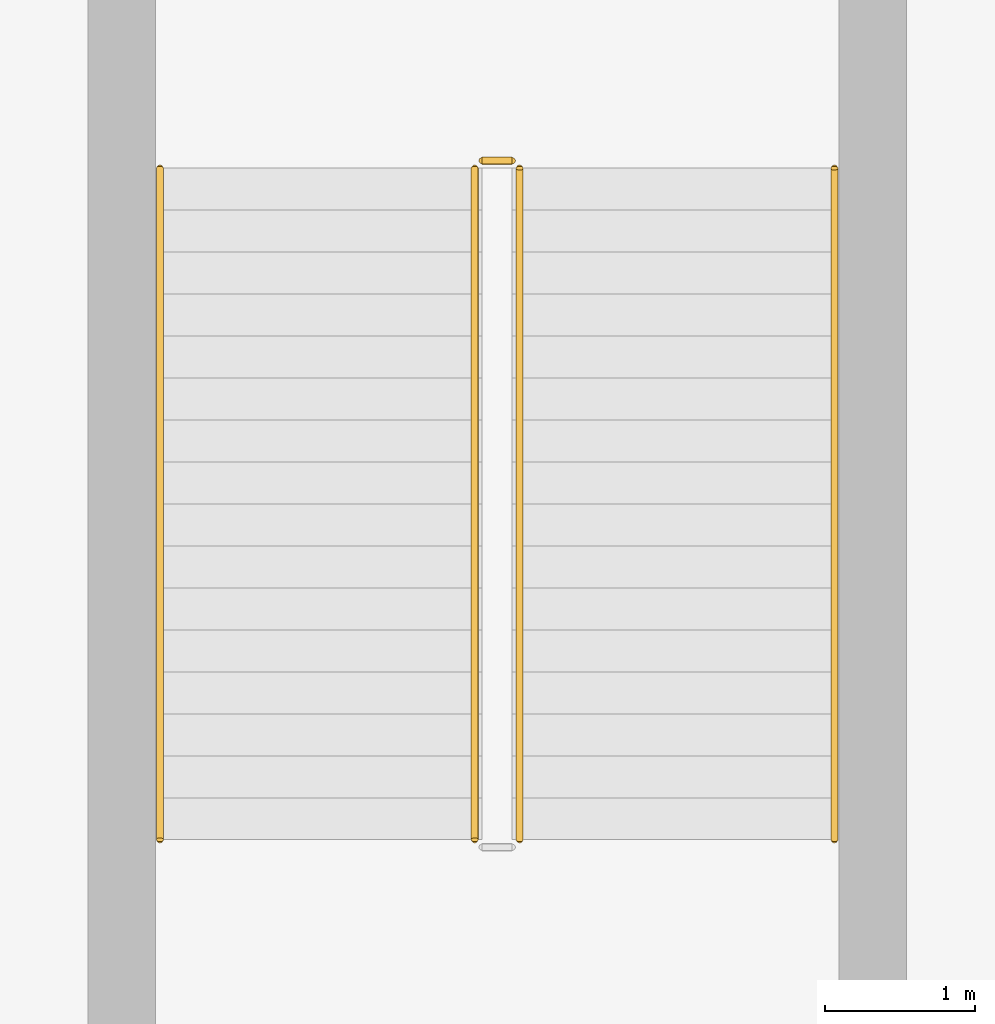
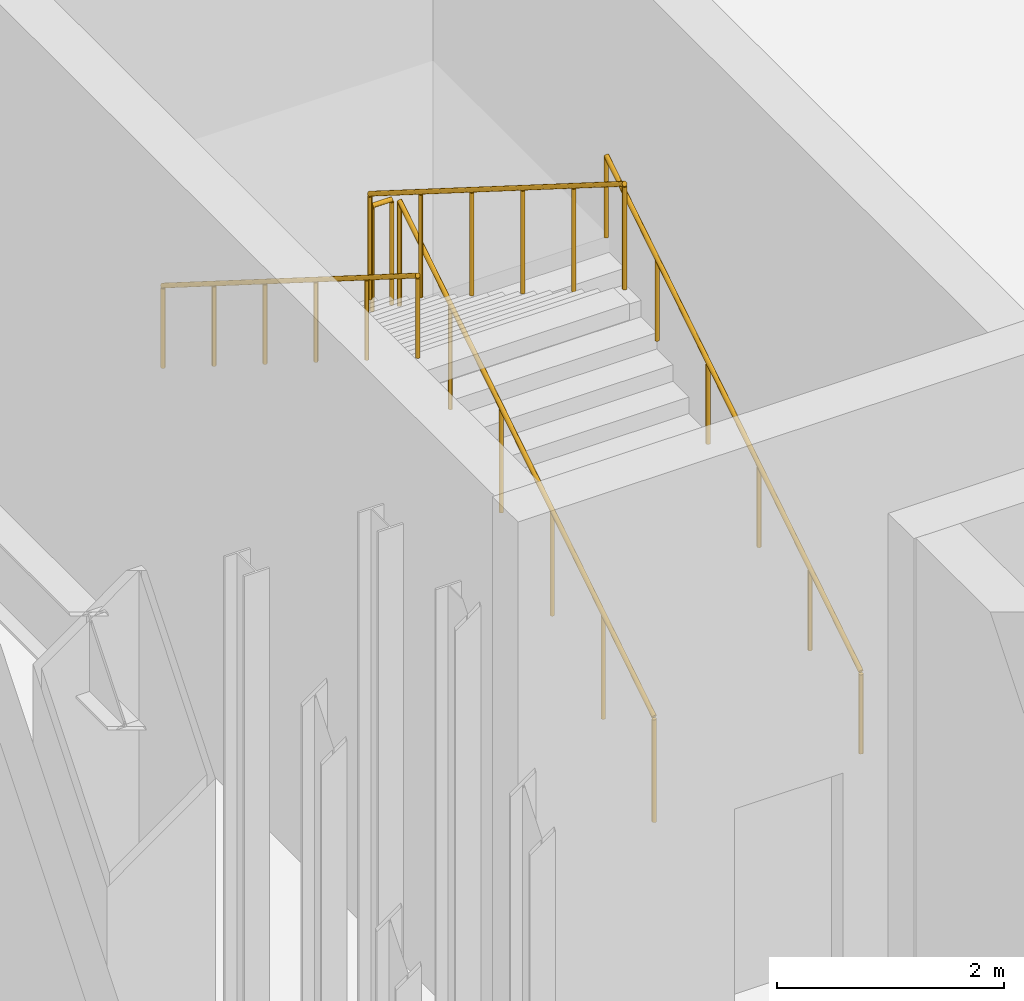
# One storey, part 19 of 25: 5 railings.
"""IFC4 building model written with IfcOpenShell, lengths in metres."""

from ifc_helpers import new_model, si_unit, derived_unit, direction, frame, origin, origin_2d, place, context, subcontext, project, spatial, circle, extrude, material, type_object, element, save


model = new_model("IFC4")

# Units and contexts
model_context = context("Model", 3, precision=1e-05, world=origin(), true_north=direction((0.0, 1.0)))
body_context = subcontext(model_context, "Body", "Model", "MODEL_VIEW")
ifc_project = project(units=[si_unit("LENGTHUNIT", "METRE"), si_unit("AREAUNIT", "SQUARE_METRE"), si_unit("VOLUMEUNIT", "CUBIC_METRE"), si_unit("PLANEANGLEUNIT", "RADIAN"), si_unit("MASSUNIT", "GRAM", prefix="KILO"), derived_unit("THERMALTRANSMITTANCEUNIT", [(si_unit("POWERUNIT", "WATT"), 1), (si_unit("LENGTHUNIT", "METRE"), -2), (si_unit("THERMODYNAMICTEMPERATUREUNIT", "KELVIN"), -1)])], contexts=[model_context])

# Site, building, storey
site_placement = place(None, origin())
site = spatial("IfcSite", under=ifc_project, at=site_placement, CompositionType="ELEMENT")
building_placement = place(site_placement, origin())
building = spatial("IfcBuilding", under=site, at=building_placement, Name="Skarnbrae Concourse Arena and Tower", CompositionType="ELEMENT")
storey_placement = place(building_placement, origin())
storey = spatial("IfcBuildingStorey", under=building, at=storey_placement, Name="L00", CompositionType="ELEMENT", Elevation=0.0)

# Railings
ifc_material = material(Name="Steel CSA G40.21 350W", Category="steel")
railing_type_1 = type_object("IfcRailingType", Name="RAIL-HANDRAIL-900", PredefinedType="HANDRAIL", material=ifc_material)
railing_1_placement = place(storey_placement, frame((9.75, 30.0, 0.176513671875)))
element("IfcRailing", 1, at=railing_1_placement, inside=storey, type_object=railing_type_1, Name="L00 ST-A3 stair handrail 1", PredefinedType="HANDRAIL", context=body_context, shape_type="SweptSolid", body=[
    extrude(circle(Radius=0.02392578125, at=origin_2d()), frame((0.0, 0.0, 0.8759765625), z_axis=(0.0, 0.845997938375, 0.533186166611), x_axis=(-1.0, 0.0, 0.0)), (0.0, 0.0, 1.0), 5.29541015625),
    extrude(circle(Radius=0.02099609375, at=origin_2d()), origin(), (0.0, 0.0, 1.0), 0.851806640625),
    extrude(circle(Radius=0.02099609375, at=origin_2d()), frame((0.0, 0.89599609375, 0.564697265625)), (0.0, 0.0, 1.0), 0.851806640625),
    extrude(circle(Radius=0.02099609375, at=origin_2d()), frame((0.0, 1.7919921875, 1.12939453125)), (0.0, 0.0, 1.0), 0.851806640625),
    extrude(circle(Radius=0.02099609375, at=origin_2d()), frame((0.0, 2.68798828125, 1.694091796875)), (0.0, 0.0, 1.0), 0.851806640625),
    extrude(circle(Radius=0.02099609375, at=origin_2d()), frame((0.0, 3.583984375, 2.2587890625)), (0.0, 0.0, 1.0), 0.851806640625),
    extrude(circle(Radius=0.02099609375, at=origin_2d()), frame((0.0, 4.47998046875, 2.823486328125)), (0.0, 0.0, 1.0), 0.851806640625),
])
railing_2_placement = place(storey_placement, frame((5.25, 34.47998046875, 3.176513671875)))
element("IfcRailing", 2, at=railing_2_placement, inside=storey, type_object=railing_type_1, Name="L00 ST-A3 stair handrail 2", PredefinedType="HANDRAIL", context=body_context, shape_type="SweptSolid", body=[
    extrude(circle(Radius=0.02392578125, at=origin_2d()), frame((0.0, 0.0, 0.8759765625), z_axis=(0.0, -0.845997938375, 0.533186166611), x_axis=(1.0, 0.0, 0.0)), (0.0, 0.0, 1.0), 5.29541015625),
    extrude(circle(Radius=0.02099609375, at=origin_2d()), origin(), (0.0, 0.0, 1.0), 0.851806640625),
    extrude(circle(Radius=0.02099609375, at=origin_2d()), frame((0.0, -0.89599609375, 0.564697265625)), (0.0, 0.0, 1.0), 0.851806640625),
    extrude(circle(Radius=0.02099609375, at=origin_2d()), frame((0.0, -1.7919921875, 1.12939453125)), (0.0, 0.0, 1.0), 0.851806640625),
    extrude(circle(Radius=0.02099609375, at=origin_2d()), frame((0.0, -2.68798828125, 1.694091796875)), (0.0, 0.0, 1.0), 0.851806640625),
    extrude(circle(Radius=0.02099609375, at=origin_2d()), frame((0.0, -3.583984375, 2.2587890625)), (0.0, 0.0, 1.0), 0.851806640625),
    extrude(circle(Radius=0.02099609375, at=origin_2d()), frame((0.0, -4.47998046875, 2.823486328125)), (0.0, 0.0, 1.0), 0.851806640625),
])
railing_type_2 = type_object("IfcRailingType", Name="RAIL-STAIR-GUARD-1150", PredefinedType="GUARDRAIL", material=ifc_material)
railing_3_placement = place(storey_placement, frame((7.64990234375, 30.0, 0.176513671875)))
element("IfcRailing", 3, at=railing_3_placement, inside=storey, type_object=railing_type_2, Name="L00 ST-A3 stair guard 1", PredefinedType="GUARDRAIL", context=body_context, shape_type="SweptSolid", body=[
    extrude(circle(Radius=0.02392578125, at=origin_2d()), frame((0.0, 0.0, 1.1259765625), z_axis=(0.0, 0.845997938375, 0.533186166611), x_axis=(-1.0, 0.0, 0.0)), (0.0, 0.0, 1.0), 5.29541015625),
    extrude(circle(Radius=0.02099609375, at=origin_2d()), origin(), (0.0, 0.0, 1.0), 1.101806640625),
    extrude(circle(Radius=0.02099609375, at=origin_2d()), frame((0.0, 0.89599609375, 0.564697265625)), (0.0, 0.0, 1.0), 1.101806640625),
    extrude(circle(Radius=0.02099609375, at=origin_2d()), frame((0.0, 1.7919921875, 1.12939453125)), (0.0, 0.0, 1.0), 1.101806640625),
    extrude(circle(Radius=0.02099609375, at=origin_2d()), frame((0.0, 2.68798828125, 1.694091796875)), (0.0, 0.0, 1.0), 1.101806640625),
    extrude(circle(Radius=0.02099609375, at=origin_2d()), frame((0.0, 3.583984375, 2.2587890625)), (0.0, 0.0, 1.0), 1.101806640625),
    extrude(circle(Radius=0.02099609375, at=origin_2d()), frame((0.0, 4.47998046875, 2.823486328125)), (0.0, 0.0, 1.0), 1.101806640625),
])
railing_4_placement = place(storey_placement, frame((7.60009765625, 34.530029296875, 3.0)))
element("IfcRailing", 4, at=railing_4_placement, inside=storey, type_object=railing_type_2, Name="L00 ST-A3 stair guard 2", PredefinedType="GUARDRAIL", context=body_context, shape_type="SweptSolid", body=[
    extrude(circle(Radius=0.02392578125, at=origin_2d()), frame((0.0, 0.0, 1.1259765625), z_axis=(-1.0, 0.0, 0.0), x_axis=(0.0, -1.0, 0.0)), (0.0, 0.0, 1.0), 0.2001953125),
    extrude(circle(Radius=0.02099609375, at=origin_2d()), origin(), (0.0, 0.0, 1.0), 1.101806640625),
    extrude(circle(Radius=0.02099609375, at=origin_2d()), frame((-0.2001953125, 0.0, 0.0)), (0.0, 0.0, 1.0), 1.101806640625),
])
railing_5_placement = place(storey_placement, frame((7.35009765625, 34.47998046875, 3.176513671875)))
element("IfcRailing", 5, at=railing_5_placement, inside=storey, type_object=railing_type_2, Name="L00 ST-A3 stair guard 3", PredefinedType="GUARDRAIL", context=body_context, shape_type="SweptSolid", body=[
    extrude(circle(Radius=0.02392578125, at=origin_2d()), frame((0.0, 0.0, 1.1259765625), z_axis=(0.0, -0.845997938375, 0.533186166611), x_axis=(1.0, 0.0, 0.0)), (0.0, 0.0, 1.0), 5.29541015625),
    extrude(circle(Radius=0.02099609375, at=origin_2d()), origin(), (0.0, 0.0, 1.0), 1.101806640625),
    extrude(circle(Radius=0.02099609375, at=origin_2d()), frame((0.0, -0.89599609375, 0.564697265625)), (0.0, 0.0, 1.0), 1.101806640625),
    extrude(circle(Radius=0.02099609375, at=origin_2d()), frame((0.0, -1.7919921875, 1.12939453125)), (0.0, 0.0, 1.0), 1.101806640625),
    extrude(circle(Radius=0.02099609375, at=origin_2d()), frame((0.0, -2.68798828125, 1.694091796875)), (0.0, 0.0, 1.0), 1.101806640625),
    extrude(circle(Radius=0.02099609375, at=origin_2d()), frame((0.0, -3.583984375, 2.2587890625)), (0.0, 0.0, 1.0), 1.101806640625),
    extrude(circle(Radius=0.02099609375, at=origin_2d()), frame((0.0, -4.47998046875, 2.823486328125)), (0.0, 0.0, 1.0), 1.101806640625),
])

save(model, "model.ifc")
